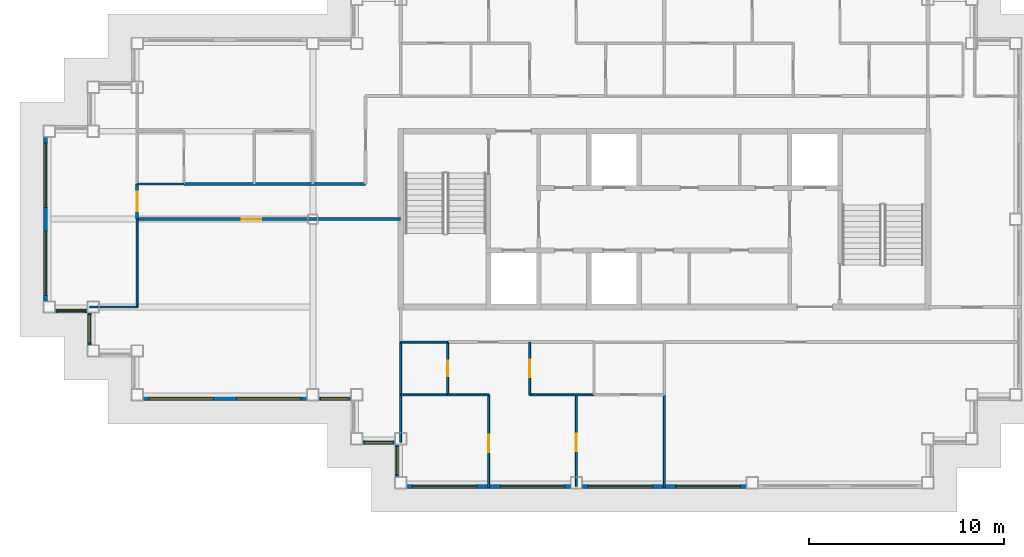
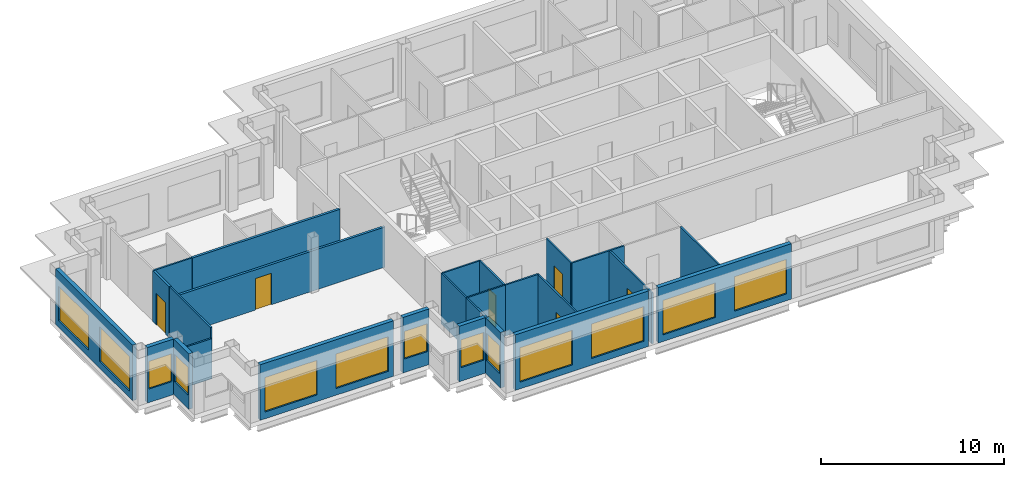
# One storey, part 2 of 12: 26 walls, 13 windows, 6 doors, 19 openings.
"""IFC4 building model written with IfcOpenShell, lengths in metres."""

from ifc_helpers import new_model, si_unit, direction, frame, frame_2d, origin, place, context, subcontext, project, spatial, rectangle, extrude, material, layer, layer_set, type_object, element, fill, save


model = new_model("IFC4")

# Units and contexts
model_context = context("Model", 3, precision=1e-05, world=origin(), true_north=direction((0.0, 1.0)))
body_context = subcontext(model_context, "Body", "Model", "MODEL_VIEW")
ifc_project = project(units=[si_unit("LENGTHUNIT", "METRE"), si_unit("AREAUNIT", "SQUARE_METRE"), si_unit("VOLUMEUNIT", "CUBIC_METRE"), si_unit("PLANEANGLEUNIT", "RADIAN"), si_unit("MASSUNIT", "GRAM", prefix="KILO")], contexts=[model_context])

# Site, building, storey
site_placement = place(None, origin())
site = spatial("IfcSite", under=ifc_project, at=site_placement, CompositionType="ELEMENT")
building_placement = place(site_placement, origin())
building = spatial("IfcBuilding", under=site, at=building_placement, Name="Caravel Reach Hotel and Residences", CompositionType="ELEMENT")
storey_placement = place(building_placement, frame((0.0, 0.0, 245.300048828125)))
storey = spatial("IfcBuildingStorey", under=building, at=storey_placement, Name="L62", CompositionType="ELEMENT", Elevation=245.300048828125)

# Walls
ifc_material_1 = material(Name="Gypsum board on steel stud", Category="steel")
ifc_layer_1 = layer(ifc_material_1, 0.10009765625)
ifc_layer_set_1 = layer_set([ifc_layer_1], Name="Bathroom pod wall 100 mm")
wall_type_1 = type_object("IfcWallType", Name="Bathroom pod wall 100 mm", PredefinedType="PARTITIONING", material=ifc_layer_set_1)
for number, where, z_axis, x_axis, name in (
    (1, (18.0, 18.0, 0.0), (0.0, 0.0, 1.0), (1.0, 0.0, 0.0), "L62 wall w051"),
    (2, (18.0, 20.699951171875, 0.0), (0.0, 0.0, 1.0), (1.0, 0.0, 0.0), "L62 wall w053"),
    (3, (4.5, 28.800048828125, 0.0), (0.0, 0.0, 1.0), (1.0, 0.0, 0.0), "L62 wall w055"),
):
    element("IfcWall", number, at=place(storey_placement, frame(where, z_axis=z_axis, x_axis=x_axis)), inside=storey, type_object=wall_type_1, Name=name, PredefinedType="PARTITIONING", context=body_context, shape_type="SweptSolid", body=[
        extrude(rectangle(XDim=2.39990234375, YDim=0.10009765625, at=frame_2d((1.199951171875, 0.0))), origin(), (0.0, 0.0, 1.0), 3.39990234375),
    ])
wall_1_placement = place(storey_placement, frame((18.0, 18.0, 0.0), z_axis=(0.0, 0.0, 1.0), x_axis=(0.0, 1.0, 0.0)))
element("IfcWall", 4, at=wall_1_placement, inside=storey, type_object=wall_type_1, Name="L62 wall w067", PredefinedType="PARTITIONING", context=body_context, shape_type="SweptSolid", body=[
    extrude(rectangle(XDim=2.699951171875, YDim=0.10009765625, at=frame_2d((1.35009765625, 0.0))), origin(), (0.0, 0.0, 1.0), 3.39990234375),
])

# Wall, opening, door
wall_2_placement = place(storey_placement, frame((20.39990234375, 18.0, 0.0), z_axis=(0.0, 0.0, 1.0), x_axis=(0.0, 1.0, 0.0)))
wall_2 = element("IfcWall", 5, at=wall_2_placement, inside=storey, type_object=wall_type_1, Name="L62 wall w068", PredefinedType="PARTITIONING", context=body_context, shape_type="SweptSolid", body=[
    extrude(rectangle(XDim=2.699951171875, YDim=0.10009765625, at=frame_2d((1.35009765625, 0.0))), origin(), (0.0, 0.0, 1.0), 3.39990234375),
])
opening_1_placement = place(wall_2_placement, frame((0.949951171875, 0.0, 0.0)))
opening_1 = element("IfcOpeningElement", 6, at=opening_1_placement, cuts=wall_2, Name="Opening D62-034", PredefinedType="OPENING", context=body_context, shape_type="SweptSolid", body=[
    extrude(rectangle(XDim=0.800048828125, YDim=2.10009765625, at=frame_2d((0.39990234375, 1.050048828125))), frame((0.0, 0.06005859375, 0.0), z_axis=(0.0, -1.0, 0.0), x_axis=(1.0, 0.0, 0.0)), (0.0, 0.0, 1.0), 0.1201171875),
])
ifc_material_2 = material(Name="Timber and steel door leaf", Category="steel")
door_type_1 = type_object("IfcDoorType", Name="Bathroom door 800 x 2100", OperationType="SINGLE_SWING_LEFT", PredefinedType="DOOR", material=ifc_material_2)
door_1_placement = place(opening_1_placement, origin())
door_1 = element("IfcDoor", 7, at=door_1_placement, inside=storey, type_object=door_type_1, Name="door D62-034", OperationType="SINGLE_SWING_LEFT", OverallHeight=2.10009765625, OverallWidth=0.800048828125, PredefinedType="DOOR", context=body_context, shape_type="SweptSolid", body=[
    extrude(rectangle(XDim=0.800048828125, YDim=2.10009765625, at=frame_2d((0.39990234375, 1.050048828125))), frame((0.0, 0.02490234375, 0.0), z_axis=(0.0, -1.0, 0.0), x_axis=(1.0, 0.0, 0.0)), (0.0, 0.0, 1.0), 0.050048828125),
])
fill(opening_1, door_1)

ifc_material_3 = material(Name="Gypsum board on steel stud, fire-rated", Category="steel")
ifc_layer_2 = layer(ifc_material_3, 0.14990234375)
ifc_layer_set_2 = layer_set([ifc_layer_2], Name="Corridor wall 150 mm EI 60")
wall_type_2 = type_object("IfcWallType", Name="Corridor wall 150 mm EI 60", PredefinedType="PARTITIONING", material=ifc_layer_set_2)
wall_3_placement = place(storey_placement, frame((4.5, 27.0, 0.0), z_axis=(0.0, 0.0, 1.0), x_axis=(1.0, 0.0, 0.0)))
wall_3 = element("IfcWall", 8, at=wall_3_placement, inside=storey, type_object=wall_type_2, Name="L62 wall w006", PredefinedType="PARTITIONING", context=body_context, shape_type="SweptSolid", body=[
    extrude(rectangle(XDim=13.5, YDim=0.14990234375, at=frame_2d((6.75, 0.0))), origin(), (0.0, 0.0, 1.0), 2.679931640625),
])
opening_2_placement = place(wall_3_placement, frame((5.35009765625, 0.0, 0.0)))
opening_2 = element("IfcOpeningElement", 9, at=opening_2_placement, cuts=wall_3, Name="Opening D62-032", PredefinedType="OPENING", context=body_context, shape_type="SweptSolid", body=[
    extrude(rectangle(XDim=1.0, YDim=2.10009765625, at=frame_2d((0.5, 1.050048828125))), frame((0.0, 0.0849609375, 0.0), z_axis=(0.0, -1.0, 0.0), x_axis=(1.0, 0.0, 0.0)), (0.0, 0.0, 1.0), 0.169921875),
])
ifc_material_4 = material(Name="Steel fire door leaf", Category="steel")
door_type_2 = type_object("IfcDoorType", Name="Fire door 1000 x 2100 EI 60", OperationType="SINGLE_SWING_LEFT", PredefinedType="DOOR", material=ifc_material_4)
door_2_placement = place(opening_2_placement, origin())
door_2 = element("IfcDoor", 10, at=door_2_placement, inside=storey, type_object=door_type_2, Name="door D62-032", OperationType="SINGLE_SWING_LEFT", OverallHeight=2.10009765625, OverallWidth=1.0, PredefinedType="DOOR", context=body_context, shape_type="SweptSolid", body=[
    extrude(rectangle(XDim=1.0, YDim=2.10009765625, at=frame_2d((0.5, 1.050048828125))), frame((0.0, 0.02490234375, 0.0), z_axis=(0.0, -1.0, 0.0), x_axis=(1.0, 0.0, 0.0)), (0.0, 0.0, 1.0), 0.050048828125),
])
fill(opening_2, door_2)

# Wall
wall_4_placement = place(storey_placement, frame((6.89990234375, 28.800048828125, 0.0), z_axis=(0.0, 0.0, 1.0), x_axis=(1.0, 0.0, 0.0)))
element("IfcWall", 11, at=wall_4_placement, inside=storey, type_object=wall_type_2, Name="L62 wall w007", PredefinedType="PARTITIONING", context=body_context, shape_type="SweptSolid", body=[
    extrude(rectangle(XDim=9.299072265625, YDim=0.14990234375, at=frame_2d((4.6494140625, 0.0))), origin(), (0.0, 0.0, 1.0), 3.39990234375),
])

# Wall, opening, door
wall_5_placement = place(storey_placement, frame((4.5, 27.0, 0.0), z_axis=(0.0, 0.0, 1.0), x_axis=(0.0, 1.0, 0.0)))
wall_5 = element("IfcWall", 12, at=wall_5_placement, inside=storey, type_object=wall_type_2, Name="L62 wall w017", PredefinedType="PARTITIONING", context=body_context, shape_type="SweptSolid", body=[
    extrude(rectangle(XDim=1.800048828125, YDim=0.14990234375, at=frame_2d((0.89990234375, 0.0))), origin(), (0.0, 0.0, 1.0), 3.39990234375),
])
opening_3_placement = place(wall_5_placement, frame((0.39990234375, 0.0, 0.0)))
opening_3 = element("IfcOpeningElement", 13, at=opening_3_placement, cuts=wall_5, Name="Opening D62-040", PredefinedType="OPENING", context=body_context, shape_type="SweptSolid", body=[
    extrude(rectangle(XDim=1.0, YDim=2.10009765625, at=frame_2d((0.5, 1.050048828125))), frame((0.0, 0.0849609375, 0.0), z_axis=(0.0, -1.0, 0.0), x_axis=(1.0, 0.0, 0.0)), (0.0, 0.0, 1.0), 0.169921875),
])
door_3_placement = place(opening_3_placement, origin())
door_3 = element("IfcDoor", 14, at=door_3_placement, inside=storey, type_object=door_type_2, Name="door D62-040", OperationType="SINGLE_SWING_RIGHT", OverallHeight=2.10009765625, OverallWidth=1.0, PredefinedType="DOOR", context=body_context, shape_type="SweptSolid", body=[
    extrude(rectangle(XDim=1.0, YDim=2.10009765625, at=frame_2d((0.5, 1.050048828125))), frame((0.0, 0.02490234375, 0.0), z_axis=(0.0, -1.0, 0.0), x_axis=(1.0, 0.0, 0.0)), (0.0, 0.0, 1.0), 0.050048828125),
])
fill(opening_3, door_3)

# Wall, opening, window
ifc_material_5 = material(Name="Insulated rainscreen wall, aluminium cladding", Category="aluminium")
ifc_layer_3 = layer(ifc_material_5, 0.25)
ifc_layer_set_3 = layer_set([ifc_layer_3], Name="EW1 Tower rainscreen wall")
wall_type_3 = type_object("IfcWallType", Name="EW1 Tower rainscreen wall", PredefinedType="SOLIDWALL", material=ifc_layer_set_3)
wall_6_placement = place(storey_placement, frame((16.050048828125, 15.574951171875, 0.0), z_axis=(0.0, 0.0, 1.0), x_axis=(1.0, 0.0, 0.0)))
wall_6 = element("IfcWall", 15, at=wall_6_placement, inside=storey, type_object=wall_type_3, Name="External wall L62 S2.1", PredefinedType="SOLIDWALL", context=body_context, shape_type="SweptSolid", body=[
    extrude(rectangle(XDim=1.64990234375, YDim=0.25, at=frame_2d((0.824951171875, 0.0))), origin(), (0.0, 0.0, 1.0), 3.699951171875),
])
opening_4_placement = place(wall_6_placement, frame((0.10009765625, 0.0, 0.89990234375)))
opening_4 = element("IfcOpeningElement", 16, at=opening_4_placement, cuts=wall_6, Name="Opening WN25", PredefinedType="OPENING", context=body_context, shape_type="SweptSolid", body=[
    extrude(rectangle(XDim=1.449951171875, YDim=1.85009765625, at=frame_2d((0.72509765625, 0.925048828125))), frame((0.0, 0.135009765625, 0.0), z_axis=(0.0, -1.0, 0.0), x_axis=(1.0, 0.0, 0.0)), (0.0, 0.0, 1.0), 0.27001953125),
])
ifc_material_6 = material(Name="Dark low-e glazing in black aluminium frame", Category="aluminium")
window_type_1 = type_object("IfcWindowType", Name="Residence bedroom window 1450 x 1850", PartitioningType="SINGLE_PANEL", PredefinedType="WINDOW", material=ifc_material_6)
window_1_placement = place(opening_4_placement, origin())
window_1 = element("IfcWindow", 17, at=window_1_placement, inside=storey, type_object=window_type_1, Name="Window L62 S2.1.1", OverallHeight=1.85009765625, OverallWidth=1.449951171875, PartitioningType="SINGLE_PANEL", PredefinedType="WINDOW", context=body_context, shape_type="SweptSolid", body=[
    extrude(rectangle(XDim=1.449951171875, YDim=1.85009765625, at=frame_2d((0.72509765625, 0.925048828125))), frame((0.0, 0.030029296875, 0.0), z_axis=(0.0, -1.0, 0.0), x_axis=(1.0, 0.0, 0.0)), (0.0, 0.0, 1.0), 0.06005859375),
])
fill(opening_4, window_1)

wall_7_placement = place(storey_placement, frame((17.824951171875, 15.449951171875, 0.0), z_axis=(0.0, 0.0, 1.0), x_axis=(0.0, -1.0, 0.0)))
wall_7 = element("IfcWall", 18, at=wall_7_placement, inside=storey, type_object=wall_type_3, Name="External wall L62 W3.1", PredefinedType="SOLIDWALL", context=body_context, shape_type="SweptSolid", body=[
    extrude(rectangle(XDim=1.64990234375, YDim=0.25, at=frame_2d((0.824951171875, 0.0))), origin(), (0.0, 0.0, 1.0), 3.699951171875),
])
opening_5_placement = place(wall_7_placement, frame((0.10009765625, 0.0, 0.89990234375)))
opening_5 = element("IfcOpeningElement", 19, at=opening_5_placement, cuts=wall_7, Name="Opening WN25", PredefinedType="OPENING", context=body_context, shape_type="SweptSolid", body=[
    extrude(rectangle(XDim=1.449951171875, YDim=1.85009765625, at=frame_2d((0.72509765625, 0.925048828125))), frame((0.0, 0.135009765625, 0.0), z_axis=(0.0, -1.0, 0.0), x_axis=(1.0, 0.0, 0.0)), (0.0, 0.0, 1.0), 0.27001953125),
])
window_2_placement = place(opening_5_placement, origin())
window_2 = element("IfcWindow", 20, at=window_2_placement, inside=storey, type_object=window_type_1, Name="Window L62 W3.1.1", OverallHeight=1.85009765625, OverallWidth=1.449951171875, PartitioningType="SINGLE_PANEL", PredefinedType="WINDOW", context=body_context, shape_type="SweptSolid", body=[
    extrude(rectangle(XDim=1.449951171875, YDim=1.85009765625, at=frame_2d((0.72509765625, 0.925048828125))), frame((0.0, 0.030029296875, 0.0), z_axis=(0.0, -1.0, 0.0), x_axis=(1.0, 0.0, 0.0)), (0.0, 0.0, 1.0), 0.06005859375),
])
fill(opening_5, window_2)

# Wall, openings, windows
wall_8_placement = place(storey_placement, frame((18.300048828125, 13.324951171875, 0.0), z_axis=(0.0, 0.0, 1.0), x_axis=(1.0, 0.0, 0.0)))
wall_8 = element("IfcWall", 21, at=wall_8_placement, inside=storey, type_object=wall_type_3, Name="External wall L62 S4.1", PredefinedType="SOLIDWALL", context=body_context, shape_type="SweptSolid", body=[
    extrude(rectangle(XDim=8.39990234375, YDim=0.25, at=frame_2d((4.199951171875, 0.0))), origin(), (0.0, 0.0, 1.0), 3.699951171875),
])
opening_6_placement = place(wall_8_placement, frame((0.300048828125, 0.0, 0.449951171875)))
opening_6 = element("IfcOpeningElement", 22, at=opening_6_placement, cuts=wall_8, Name="Opening WN15", PredefinedType="OPENING", context=body_context, shape_type="SweptSolid", body=[
    extrude(rectangle(XDim=3.300048828125, YDim=2.300048828125, at=frame_2d((1.64990234375, 1.14990234375))), frame((0.0, 0.135009765625, 0.0), z_axis=(0.0, -1.0, 0.0), x_axis=(1.0, 0.0, 0.0)), (0.0, 0.0, 1.0), 0.27001953125),
])
opening_7_placement = place(wall_8_placement, frame((4.800048828125, 0.0, 0.449951171875)))
opening_7 = element("IfcOpeningElement", 23, at=opening_7_placement, cuts=wall_8, Name="Opening WN15", PredefinedType="OPENING", context=body_context, shape_type="SweptSolid", body=[
    extrude(rectangle(XDim=3.300048828125, YDim=2.300048828125, at=frame_2d((1.64990234375, 1.14990234375))), frame((0.0, 0.135009765625, 0.0), z_axis=(0.0, -1.0, 0.0), x_axis=(1.0, 0.0, 0.0)), (0.0, 0.0, 1.0), 0.27001953125),
])
ifc_material_7 = material(Name="Dark low-e glazing in black aluminium frame", Category="aluminium")
window_type_2 = type_object("IfcWindowType", Name="Residence living window 3300 x 2300", PartitioningType="SINGLE_PANEL", PredefinedType="WINDOW", material=ifc_material_7)
window_3_placement = place(opening_6_placement, origin())
window_3 = element("IfcWindow", 24, at=window_3_placement, inside=storey, type_object=window_type_2, Name="Window L62 S4.1.1", OverallHeight=2.300048828125, OverallWidth=3.300048828125, PartitioningType="SINGLE_PANEL", PredefinedType="WINDOW", context=body_context, shape_type="SweptSolid", body=[
    extrude(rectangle(XDim=3.300048828125, YDim=2.300048828125, at=frame_2d((1.64990234375, 1.14990234375))), frame((0.0, 0.030029296875, 0.0), z_axis=(0.0, -1.0, 0.0), x_axis=(1.0, 0.0, 0.0)), (0.0, 0.0, 1.0), 0.06005859375),
])
fill(opening_6, window_3)
window_4_placement = place(opening_7_placement, origin())
window_4 = element("IfcWindow", 25, at=window_4_placement, inside=storey, type_object=window_type_2, Name="Window L62 S4.1.2", OverallHeight=2.300048828125, OverallWidth=3.300048828125, PartitioningType="SINGLE_PANEL", PredefinedType="WINDOW", context=body_context, shape_type="SweptSolid", body=[
    extrude(rectangle(XDim=3.300048828125, YDim=2.300048828125, at=frame_2d((1.64990234375, 1.14990234375))), frame((0.0, 0.030029296875, 0.0), z_axis=(0.0, -1.0, 0.0), x_axis=(1.0, 0.0, 0.0)), (0.0, 0.0, 1.0), 0.06005859375),
])
fill(opening_7, window_4)

wall_9_placement = place(storey_placement, frame((27.300048828125, 13.324951171875, 0.0), z_axis=(0.0, 0.0, 1.0), x_axis=(1.0, 0.0, 0.0)))
wall_9 = element("IfcWall", 26, at=wall_9_placement, inside=storey, type_object=wall_type_3, Name="External wall L62 S4.2", PredefinedType="SOLIDWALL", context=body_context, shape_type="SweptSolid", body=[
    extrude(rectangle(XDim=8.39990234375, YDim=0.25, at=frame_2d((4.199951171875, 0.0))), origin(), (0.0, 0.0, 1.0), 3.699951171875),
])
opening_8_placement = place(wall_9_placement, frame((0.300048828125, 0.0, 0.449951171875)))
opening_8 = element("IfcOpeningElement", 27, at=opening_8_placement, cuts=wall_9, Name="Opening WN15", PredefinedType="OPENING", context=body_context, shape_type="SweptSolid", body=[
    extrude(rectangle(XDim=3.300048828125, YDim=2.300048828125, at=frame_2d((1.64990234375, 1.14990234375))), frame((0.0, 0.135009765625, 0.0), z_axis=(0.0, -1.0, 0.0), x_axis=(1.0, 0.0, 0.0)), (0.0, 0.0, 1.0), 0.27001953125),
])
opening_9_placement = place(wall_9_placement, frame((4.800048828125, 0.0, 0.449951171875)))
opening_9 = element("IfcOpeningElement", 28, at=opening_9_placement, cuts=wall_9, Name="Opening WN15", PredefinedType="OPENING", context=body_context, shape_type="SweptSolid", body=[
    extrude(rectangle(XDim=3.300048828125, YDim=2.300048828125, at=frame_2d((1.64990234375, 1.14990234375))), frame((0.0, 0.135009765625, 0.0), z_axis=(0.0, -1.0, 0.0), x_axis=(1.0, 0.0, 0.0)), (0.0, 0.0, 1.0), 0.27001953125),
])
window_5_placement = place(opening_8_placement, origin())
window_5 = element("IfcWindow", 29, at=window_5_placement, inside=storey, type_object=window_type_2, Name="Window L62 S4.2.1", OverallHeight=2.300048828125, OverallWidth=3.300048828125, PartitioningType="SINGLE_PANEL", PredefinedType="WINDOW", context=body_context, shape_type="SweptSolid", body=[
    extrude(rectangle(XDim=3.300048828125, YDim=2.300048828125, at=frame_2d((1.64990234375, 1.14990234375))), frame((0.0, 0.030029296875, 0.0), z_axis=(0.0, -1.0, 0.0), x_axis=(1.0, 0.0, 0.0)), (0.0, 0.0, 1.0), 0.06005859375),
])
fill(opening_8, window_5)
window_6_placement = place(opening_9_placement, origin())
window_6 = element("IfcWindow", 30, at=window_6_placement, inside=storey, type_object=window_type_2, Name="Window L62 S4.2.2", OverallHeight=2.300048828125, OverallWidth=3.300048828125, PartitioningType="SINGLE_PANEL", PredefinedType="WINDOW", context=body_context, shape_type="SweptSolid", body=[
    extrude(rectangle(XDim=3.300048828125, YDim=2.300048828125, at=frame_2d((1.64990234375, 1.14990234375))), frame((0.0, 0.030029296875, 0.0), z_axis=(0.0, -1.0, 0.0), x_axis=(1.0, 0.0, 0.0)), (0.0, 0.0, 1.0), 0.06005859375),
])
fill(opening_9, window_6)

wall_10_placement = place(storey_placement, frame((-0.175048828125, 31.199951171875, 0.0), z_axis=(0.0, 0.0, 1.0), x_axis=(0.0, -1.0, 0.0)))
wall_10 = element("IfcWall", 31, at=wall_10_placement, inside=storey, type_object=wall_type_3, Name="External wall L62 W23.1", PredefinedType="SOLIDWALL", context=body_context, shape_type="SweptSolid", body=[
    extrude(rectangle(XDim=8.39990234375, YDim=0.25, at=frame_2d((4.199951171875, 0.0))), origin(), (0.0, 0.0, 1.0), 3.699951171875),
])
opening_10_placement = place(wall_10_placement, frame((0.300048828125, 0.0, 0.449951171875)))
opening_10 = element("IfcOpeningElement", 32, at=opening_10_placement, cuts=wall_10, Name="Opening WN15", PredefinedType="OPENING", context=body_context, shape_type="SweptSolid", body=[
    extrude(rectangle(XDim=3.300048828125, YDim=2.300048828125, at=frame_2d((1.64990234375, 1.14990234375))), frame((0.0, 0.135009765625, 0.0), z_axis=(0.0, -1.0, 0.0), x_axis=(1.0, 0.0, 0.0)), (0.0, 0.0, 1.0), 0.27001953125),
])
opening_11_placement = place(wall_10_placement, frame((4.800048828125, 0.0, 0.449951171875)))
opening_11 = element("IfcOpeningElement", 33, at=opening_11_placement, cuts=wall_10, Name="Opening WN15", PredefinedType="OPENING", context=body_context, shape_type="SweptSolid", body=[
    extrude(rectangle(XDim=3.300048828125, YDim=2.300048828125, at=frame_2d((1.64990234375, 1.14990234375))), frame((0.0, 0.135009765625, 0.0), z_axis=(0.0, -1.0, 0.0), x_axis=(1.0, 0.0, 0.0)), (0.0, 0.0, 1.0), 0.27001953125),
])
window_7_placement = place(opening_10_placement, origin())
window_7 = element("IfcWindow", 34, at=window_7_placement, inside=storey, type_object=window_type_2, Name="Window L62 W23.1.1", OverallHeight=2.300048828125, OverallWidth=3.300048828125, PartitioningType="SINGLE_PANEL", PredefinedType="WINDOW", context=body_context, shape_type="SweptSolid", body=[
    extrude(rectangle(XDim=3.300048828125, YDim=2.300048828125, at=frame_2d((1.64990234375, 1.14990234375))), frame((0.0, 0.030029296875, 0.0), z_axis=(0.0, -1.0, 0.0), x_axis=(1.0, 0.0, 0.0)), (0.0, 0.0, 1.0), 0.06005859375),
])
fill(opening_10, window_7)
window_8_placement = place(opening_11_placement, origin())
window_8 = element("IfcWindow", 35, at=window_8_placement, inside=storey, type_object=window_type_2, Name="Window L62 W23.1.2", OverallHeight=2.300048828125, OverallWidth=3.300048828125, PartitioningType="SINGLE_PANEL", PredefinedType="WINDOW", context=body_context, shape_type="SweptSolid", body=[
    extrude(rectangle(XDim=3.300048828125, YDim=2.300048828125, at=frame_2d((1.64990234375, 1.14990234375))), frame((0.0, 0.030029296875, 0.0), z_axis=(0.0, -1.0, 0.0), x_axis=(1.0, 0.0, 0.0)), (0.0, 0.0, 1.0), 0.06005859375),
])
fill(opening_11, window_8)

# Wall, opening, window
wall_11_placement = place(storey_placement, frame((0.300048828125, 22.324951171875, 0.0), z_axis=(0.0, 0.0, 1.0), x_axis=(1.0, 0.0, 0.0)))
wall_11 = element("IfcWall", 36, at=wall_11_placement, inside=storey, type_object=wall_type_3, Name="External wall L62 S24.1", PredefinedType="SOLIDWALL", context=body_context, shape_type="SweptSolid", body=[
    extrude(rectangle(XDim=1.64990234375, YDim=0.25, at=frame_2d((0.824951171875, 0.0))), origin(), (0.0, 0.0, 1.0), 3.699951171875),
])
opening_12_placement = place(wall_11_placement, frame((0.10009765625, 0.0, 0.89990234375)))
opening_12 = element("IfcOpeningElement", 37, at=opening_12_placement, cuts=wall_11, Name="Opening WN25", PredefinedType="OPENING", context=body_context, shape_type="SweptSolid", body=[
    extrude(rectangle(XDim=1.449951171875, YDim=1.85009765625, at=frame_2d((0.72509765625, 0.925048828125))), frame((0.0, 0.135009765625, 0.0), z_axis=(0.0, -1.0, 0.0), x_axis=(1.0, 0.0, 0.0)), (0.0, 0.0, 1.0), 0.27001953125),
])
window_9_placement = place(opening_12_placement, origin())
window_9 = element("IfcWindow", 38, at=window_9_placement, inside=storey, type_object=window_type_1, Name="Window L62 S24.1.1", OverallHeight=1.85009765625, OverallWidth=1.449951171875, PartitioningType="SINGLE_PANEL", PredefinedType="WINDOW", context=body_context, shape_type="SweptSolid", body=[
    extrude(rectangle(XDim=1.449951171875, YDim=1.85009765625, at=frame_2d((0.72509765625, 0.925048828125))), frame((0.0, 0.030029296875, 0.0), z_axis=(0.0, -1.0, 0.0), x_axis=(1.0, 0.0, 0.0)), (0.0, 0.0, 1.0), 0.06005859375),
])
fill(opening_12, window_9)

wall_12_placement = place(storey_placement, frame((2.074951171875, 22.199951171875, 0.0), z_axis=(0.0, 0.0, 1.0), x_axis=(0.0, -1.0, 0.0)))
wall_12 = element("IfcWall", 39, at=wall_12_placement, inside=storey, type_object=wall_type_3, Name="External wall L62 W25.1", PredefinedType="SOLIDWALL", context=body_context, shape_type="SweptSolid", body=[
    extrude(rectangle(XDim=1.64990234375, YDim=0.25, at=frame_2d((0.824951171875, 0.0))), origin(), (0.0, 0.0, 1.0), 3.699951171875),
])
opening_13_placement = place(wall_12_placement, frame((0.10009765625, 0.0, 0.89990234375)))
opening_13 = element("IfcOpeningElement", 40, at=opening_13_placement, cuts=wall_12, Name="Opening WN25", PredefinedType="OPENING", context=body_context, shape_type="SweptSolid", body=[
    extrude(rectangle(XDim=1.449951171875, YDim=1.85009765625, at=frame_2d((0.72509765625, 0.925048828125))), frame((0.0, 0.135009765625, 0.0), z_axis=(0.0, -1.0, 0.0), x_axis=(1.0, 0.0, 0.0)), (0.0, 0.0, 1.0), 0.27001953125),
])
window_10_placement = place(opening_13_placement, origin())
window_10 = element("IfcWindow", 41, at=window_10_placement, inside=storey, type_object=window_type_1, Name="Window L62 W25.1.1", OverallHeight=1.85009765625, OverallWidth=1.449951171875, PartitioningType="SINGLE_PANEL", PredefinedType="WINDOW", context=body_context, shape_type="SweptSolid", body=[
    extrude(rectangle(XDim=1.449951171875, YDim=1.85009765625, at=frame_2d((0.72509765625, 0.925048828125))), frame((0.0, 0.030029296875, 0.0), z_axis=(0.0, -1.0, 0.0), x_axis=(1.0, 0.0, 0.0)), (0.0, 0.0, 1.0), 0.06005859375),
])
fill(opening_13, window_10)

# Wall, openings, windows
wall_13_placement = place(storey_placement, frame((4.800048828125, 17.824951171875, 0.0), z_axis=(0.0, 0.0, 1.0), x_axis=(1.0, 0.0, 0.0)))
wall_13 = element("IfcWall", 42, at=wall_13_placement, inside=storey, type_object=wall_type_3, Name="External wall L62 S28.1", PredefinedType="SOLIDWALL", context=body_context, shape_type="SweptSolid", body=[
    extrude(rectangle(XDim=8.39990234375, YDim=0.25, at=frame_2d((4.199951171875, 0.0))), origin(), (0.0, 0.0, 1.0), 3.699951171875),
])
opening_14_placement = place(wall_13_placement, frame((0.300048828125, 0.0, 0.449951171875)))
opening_14 = element("IfcOpeningElement", 43, at=opening_14_placement, cuts=wall_13, Name="Opening WN15", PredefinedType="OPENING", context=body_context, shape_type="SweptSolid", body=[
    extrude(rectangle(XDim=3.300048828125, YDim=2.300048828125, at=frame_2d((1.64990234375, 1.14990234375))), frame((0.0, 0.135009765625, 0.0), z_axis=(0.0, -1.0, 0.0), x_axis=(1.0, 0.0, 0.0)), (0.0, 0.0, 1.0), 0.27001953125),
])
opening_15_placement = place(wall_13_placement, frame((4.800048828125, 0.0, 0.449951171875)))
opening_15 = element("IfcOpeningElement", 44, at=opening_15_placement, cuts=wall_13, Name="Opening WN15", PredefinedType="OPENING", context=body_context, shape_type="SweptSolid", body=[
    extrude(rectangle(XDim=3.300048828125, YDim=2.300048828125, at=frame_2d((1.64990234375, 1.14990234375))), frame((0.0, 0.135009765625, 0.0), z_axis=(0.0, -1.0, 0.0), x_axis=(1.0, 0.0, 0.0)), (0.0, 0.0, 1.0), 0.27001953125),
])
window_11_placement = place(opening_14_placement, origin())
window_11 = element("IfcWindow", 45, at=window_11_placement, inside=storey, type_object=window_type_2, Name="Window L62 S28.1.1", OverallHeight=2.300048828125, OverallWidth=3.300048828125, PartitioningType="SINGLE_PANEL", PredefinedType="WINDOW", context=body_context, shape_type="SweptSolid", body=[
    extrude(rectangle(XDim=3.300048828125, YDim=2.300048828125, at=frame_2d((1.64990234375, 1.14990234375))), frame((0.0, 0.030029296875, 0.0), z_axis=(0.0, -1.0, 0.0), x_axis=(1.0, 0.0, 0.0)), (0.0, 0.0, 1.0), 0.06005859375),
])
fill(opening_14, window_11)
window_12_placement = place(opening_15_placement, origin())
window_12 = element("IfcWindow", 46, at=window_12_placement, inside=storey, type_object=window_type_2, Name="Window L62 S28.1.2", OverallHeight=2.300048828125, OverallWidth=3.300048828125, PartitioningType="SINGLE_PANEL", PredefinedType="WINDOW", context=body_context, shape_type="SweptSolid", body=[
    extrude(rectangle(XDim=3.300048828125, YDim=2.300048828125, at=frame_2d((1.64990234375, 1.14990234375))), frame((0.0, 0.030029296875, 0.0), z_axis=(0.0, -1.0, 0.0), x_axis=(1.0, 0.0, 0.0)), (0.0, 0.0, 1.0), 0.06005859375),
])
fill(opening_15, window_12)

# Wall, opening, window
wall_14_placement = place(storey_placement, frame((13.800048828125, 17.824951171875, 0.0), z_axis=(0.0, 0.0, 1.0), x_axis=(1.0, 0.0, 0.0)))
wall_14 = element("IfcWall", 47, at=wall_14_placement, inside=storey, type_object=wall_type_3, Name="External wall L62 S28.2", PredefinedType="SOLIDWALL", context=body_context, shape_type="SweptSolid", body=[
    extrude(rectangle(XDim=1.64990234375, YDim=0.25, at=frame_2d((0.824951171875, 0.0))), origin(), (0.0, 0.0, 1.0), 3.699951171875),
])
opening_16_placement = place(wall_14_placement, frame((0.10009765625, 0.0, 0.89990234375)))
opening_16 = element("IfcOpeningElement", 48, at=opening_16_placement, cuts=wall_14, Name="Opening WN25", PredefinedType="OPENING", context=body_context, shape_type="SweptSolid", body=[
    extrude(rectangle(XDim=1.449951171875, YDim=1.85009765625, at=frame_2d((0.72509765625, 0.925048828125))), frame((0.0, 0.135009765625, 0.0), z_axis=(0.0, -1.0, 0.0), x_axis=(1.0, 0.0, 0.0)), (0.0, 0.0, 1.0), 0.27001953125),
])
window_13_placement = place(opening_16_placement, origin())
window_13 = element("IfcWindow", 49, at=window_13_placement, inside=storey, type_object=window_type_1, Name="Window L62 S28.2.1", OverallHeight=1.85009765625, OverallWidth=1.449951171875, PartitioningType="SINGLE_PANEL", PredefinedType="WINDOW", context=body_context, shape_type="SweptSolid", body=[
    extrude(rectangle(XDim=1.449951171875, YDim=1.85009765625, at=frame_2d((0.72509765625, 0.925048828125))), frame((0.0, 0.030029296875, 0.0), z_axis=(0.0, -1.0, 0.0), x_axis=(1.0, 0.0, 0.0)), (0.0, 0.0, 1.0), 0.06005859375),
])
fill(opening_16, window_13)

# Walls
ifc_material_8 = material(Name="Gypsum board on steel stud", Category="steel")
ifc_layer_4 = layer(ifc_material_8, 0.10009765625)
ifc_layer_set_4 = layer_set([ifc_layer_4], Name="Partition 100 mm")
wall_type_4 = type_object("IfcWallType", Name="Partition 100 mm", PredefinedType="PARTITIONING", material=ifc_layer_set_4)
wall_15_placement = place(storey_placement, frame((20.39990234375, 18.0, 0.0), z_axis=(0.0, 0.0, 1.0), x_axis=(1.0, 0.0, 0.0)))
element("IfcWall", 50, at=wall_15_placement, inside=storey, type_object=wall_type_4, Name="L62 wall w019", PredefinedType="PARTITIONING", context=body_context, shape_type="SweptSolid", body=[
    extrude(rectangle(XDim=2.10009765625, YDim=0.10009765625, at=frame_2d((1.050048828125, 0.0))), origin(), (0.0, 0.0, 1.0), 3.39990234375),
])
wall_16_placement = place(storey_placement, frame((24.60009765625, 18.0, 0.0), z_axis=(0.0, 0.0, 1.0), x_axis=(1.0, 0.0, 0.0)))
element("IfcWall", 51, at=wall_16_placement, inside=storey, type_object=wall_type_4, Name="L62 wall w021", PredefinedType="PARTITIONING", context=body_context, shape_type="SweptSolid", body=[
    extrude(rectangle(XDim=3.2998046875, YDim=0.10009765625, at=frame_2d((1.64990234375, 0.0))), origin(), (0.0, 0.0, 1.0), 3.39990234375),
])
wall_17_placement = place(storey_placement, frame((2.06005859375, 22.5, 0.0), z_axis=(0.0, 0.0, 1.0), x_axis=(1.0, 0.0, 0.0)))
element("IfcWall", 52, at=wall_17_placement, inside=storey, type_object=wall_type_4, Name="L62 wall w022", PredefinedType="PARTITIONING", context=body_context, shape_type="SweptSolid", body=[
    extrude(rectangle(XDim=2.43896484375, YDim=0.10009765625, at=frame_2d((1.219482421875, 0.0))), origin(), (0.0, 0.0, 1.0), 2.679931640625),
])
wall_18_placement = place(storey_placement, frame((18.0, 15.56005859375, 0.0), z_axis=(0.0, 0.0, 1.0), x_axis=(0.0, 1.0, 0.0)))
element("IfcWall", 53, at=wall_18_placement, inside=storey, type_object=wall_type_4, Name="L62 wall w034", PredefinedType="PARTITIONING", context=body_context, shape_type="SweptSolid", body=[
    extrude(rectangle(XDim=2.43896484375, YDim=0.10009765625, at=frame_2d((1.219482421875, 0.0))), origin(), (0.0, 0.0, 1.0), 3.39990234375),
])

# Wall, opening, door
wall_19_placement = place(storey_placement, frame((22.5, 13.260009765625, 0.0), z_axis=(0.0, 0.0, 1.0), x_axis=(0.0, 1.0, 0.0)))
wall_19 = element("IfcWall", 54, at=wall_19_placement, inside=storey, type_object=wall_type_4, Name="L62 wall w036", PredefinedType="PARTITIONING", context=body_context, shape_type="SweptSolid", body=[
    extrude(rectangle(XDim=4.739990234375, YDim=0.10009765625, at=frame_2d((2.3701171875, 0.0))), origin(), (0.0, 0.0, 1.0), 3.39990234375),
])
opening_17_placement = place(wall_19_placement, frame((1.800048828125, 0.0, 0.0)))
opening_17 = element("IfcOpeningElement", 55, at=opening_17_placement, cuts=wall_19, Name="Opening D62-037", PredefinedType="OPENING", context=body_context, shape_type="SweptSolid", body=[
    extrude(rectangle(XDim=0.89990234375, YDim=2.10009765625, at=frame_2d((0.449951171875, 1.050048828125))), frame((0.0, 0.06005859375, 0.0), z_axis=(0.0, -1.0, 0.0), x_axis=(1.0, 0.0, 0.0)), (0.0, 0.0, 1.0), 0.1201171875),
])
ifc_material_9 = material(Name="Timber and steel door leaf", Category="steel")
door_type_3 = type_object("IfcDoorType", Name="Door 900 x 2100 timber", OperationType="SINGLE_SWING_LEFT", PredefinedType="DOOR", material=ifc_material_9)
door_4_placement = place(opening_17_placement, origin())
door_4 = element("IfcDoor", 56, at=door_4_placement, inside=storey, type_object=door_type_3, Name="door D62-037", OperationType="SINGLE_SWING_RIGHT", OverallHeight=2.10009765625, OverallWidth=0.89990234375, PredefinedType="DOOR", context=body_context, shape_type="SweptSolid", body=[
    extrude(rectangle(XDim=0.89990234375, YDim=2.10009765625, at=frame_2d((0.449951171875, 1.050048828125))), frame((0.0, 0.02490234375, 0.0), z_axis=(0.0, -1.0, 0.0), x_axis=(1.0, 0.0, 0.0)), (0.0, 0.0, 1.0), 0.050048828125),
])
fill(opening_17, door_4)

wall_20_placement = place(storey_placement, frame((24.60009765625, 18.0, 0.0), z_axis=(0.0, 0.0, 1.0), x_axis=(0.0, 1.0, 0.0)))
wall_20 = element("IfcWall", 57, at=wall_20_placement, inside=storey, type_object=wall_type_4, Name="L62 wall w038", PredefinedType="PARTITIONING", context=body_context, shape_type="SweptSolid", body=[
    extrude(rectangle(XDim=2.699951171875, YDim=0.10009765625, at=frame_2d((1.35009765625, 0.0))), origin(), (0.0, 0.0, 1.0), 3.39990234375),
])
opening_18_placement = place(wall_20_placement, frame((0.89990234375, 0.0, 0.0)))
opening_18 = element("IfcOpeningElement", 58, at=opening_18_placement, cuts=wall_20, Name="Opening D62-035", PredefinedType="OPENING", context=body_context, shape_type="SweptSolid", body=[
    extrude(rectangle(XDim=0.89990234375, YDim=2.10009765625, at=frame_2d((0.449951171875, 1.050048828125))), frame((0.0, 0.06005859375, 0.0), z_axis=(0.0, -1.0, 0.0), x_axis=(1.0, 0.0, 0.0)), (0.0, 0.0, 1.0), 0.1201171875),
])
door_5_placement = place(opening_18_placement, origin())
door_5 = element("IfcDoor", 59, at=door_5_placement, inside=storey, type_object=door_type_3, Name="door D62-035", OperationType="SINGLE_SWING_LEFT", OverallHeight=2.10009765625, OverallWidth=0.89990234375, PredefinedType="DOOR", context=body_context, shape_type="SweptSolid", body=[
    extrude(rectangle(XDim=0.89990234375, YDim=2.10009765625, at=frame_2d((0.449951171875, 1.050048828125))), frame((0.0, 0.02490234375, 0.0), z_axis=(0.0, -1.0, 0.0), x_axis=(1.0, 0.0, 0.0)), (0.0, 0.0, 1.0), 0.050048828125),
])
fill(opening_18, door_5)

wall_21_placement = place(storey_placement, frame((27.0, 13.31005859375, 0.0), z_axis=(0.0, 0.0, 1.0), x_axis=(0.0, 1.0, 0.0)))
wall_21 = element("IfcWall", 60, at=wall_21_placement, inside=storey, type_object=wall_type_4, Name="L62 wall w040", PredefinedType="PARTITIONING", context=body_context, shape_type="SweptSolid", body=[
    extrude(rectangle(XDim=4.68994140625, YDim=0.10009765625, at=frame_2d((2.344970703125, 0.0))), origin(), (0.0, 0.0, 1.0), 3.39990234375),
])
opening_19_placement = place(wall_21_placement, frame((1.800048828125, 0.0, 0.0)))
opening_19 = element("IfcOpeningElement", 61, at=opening_19_placement, cuts=wall_21, Name="Opening D62-038", PredefinedType="OPENING", context=body_context, shape_type="SweptSolid", body=[
    extrude(rectangle(XDim=0.89990234375, YDim=2.10009765625, at=frame_2d((0.449951171875, 1.050048828125))), frame((0.0, 0.06005859375, 0.0), z_axis=(0.0, -1.0, 0.0), x_axis=(1.0, 0.0, 0.0)), (0.0, 0.0, 1.0), 0.1201171875),
])
door_6_placement = place(opening_19_placement, origin())
door_6 = element("IfcDoor", 62, at=door_6_placement, inside=storey, type_object=door_type_3, Name="door D62-038", OperationType="SINGLE_SWING_LEFT", OverallHeight=2.10009765625, OverallWidth=0.89990234375, PredefinedType="DOOR", context=body_context, shape_type="SweptSolid", body=[
    extrude(rectangle(XDim=0.89990234375, YDim=2.10009765625, at=frame_2d((0.449951171875, 1.050048828125))), frame((0.0, 0.02490234375, 0.0), z_axis=(0.0, -1.0, 0.0), x_axis=(1.0, 0.0, 0.0)), (0.0, 0.0, 1.0), 0.050048828125),
])
fill(opening_19, door_6)

# Walls
wall_22_placement = place(storey_placement, frame((31.5, 13.260009765625, 0.0), z_axis=(0.0, 0.0, 1.0), x_axis=(0.0, 1.0, 0.0)))
element("IfcWall", 63, at=wall_22_placement, inside=storey, type_object=wall_type_4, Name="L62 wall w041", PredefinedType="PARTITIONING", context=body_context, shape_type="SweptSolid", body=[
    extrude(rectangle(XDim=4.739990234375, YDim=0.10009765625, at=frame_2d((2.3701171875, 0.0))), origin(), (0.0, 0.0, 1.0), 3.39990234375),
])
wall_23_placement = place(storey_placement, frame((4.5, 22.5, 0.0), z_axis=(0.0, 0.0, 1.0), x_axis=(0.0, 1.0, 0.0)))
element("IfcWall", 64, at=wall_23_placement, inside=storey, type_object=wall_type_4, Name="L62 wall w045", PredefinedType="PARTITIONING", context=body_context, shape_type="SweptSolid", body=[
    extrude(rectangle(XDim=4.5, YDim=0.10009765625, at=frame_2d((2.25, 0.0))), origin(), (0.0, 0.0, 1.0), 3.39990234375),
])

save(model, "model.ifc")
